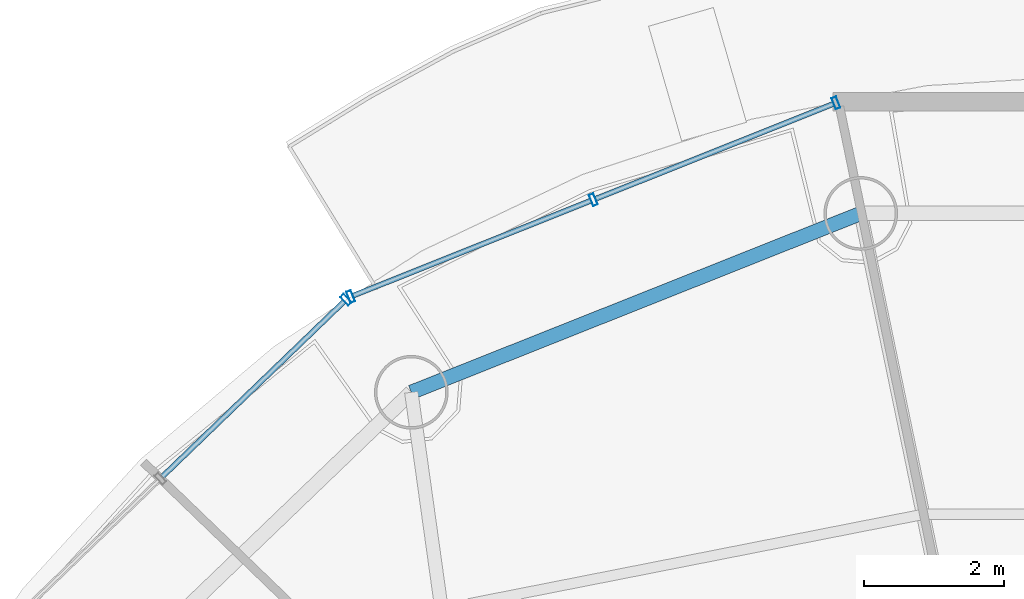
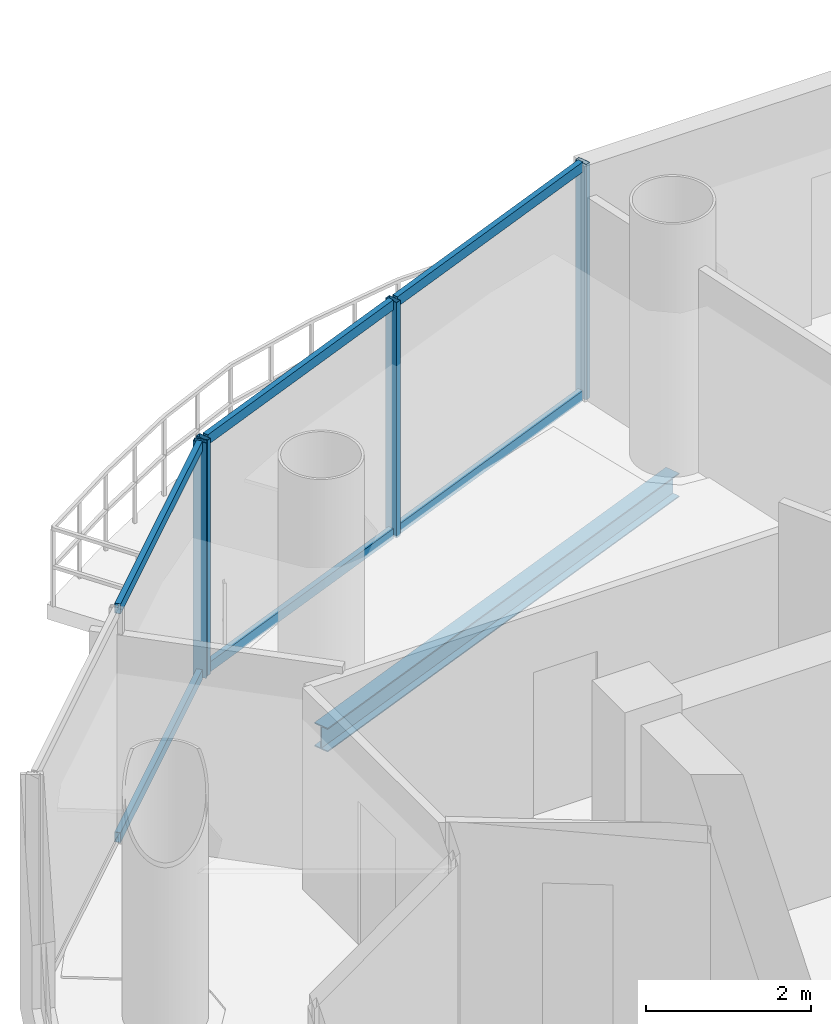
# One storey, part 14 of 24: 10 members, 1 beam, 2 elements without a shape of their own.
"""IFC4 building model written with IfcOpenShell, lengths in metres."""

from ifc_helpers import new_model, si_unit, direction, frame, origin, origin_2d, place, context, subcontext, project, spatial, hollow_rectangle, i_section, extrude, source, transform, mapped, material, material_profile, profile_set, type_object, element, aggregate, save


model = new_model("IFC4")

# Units and contexts
model_context = context("Model", 3, precision=1e-05, world=origin(), true_north=direction((-0.2419218956, 0.970295726276)))
body_context = subcontext(model_context, "Body", "Model", "MODEL_VIEW")
ifc_project = project(units=[si_unit("LENGTHUNIT", "METRE"), si_unit("AREAUNIT", "SQUARE_METRE"), si_unit("VOLUMEUNIT", "CUBIC_METRE"), si_unit("PLANEANGLEUNIT", "RADIAN"), si_unit("MASSUNIT", "GRAM", prefix="KILO")], contexts=[model_context])

# Site, building, storey
site_placement = place(None, origin())
site = spatial("IfcSite", under=ifc_project, at=site_placement, CompositionType="ELEMENT")
building_placement = place(site_placement, origin())
building = spatial("IfcBuilding", under=site, at=building_placement, Name="Cobrevalo Terracotta Tower", CompositionType="ELEMENT")
storey_placement = place(building_placement, frame((0.0, 0.0, 274.449951171875)))
storey = spatial("IfcBuildingStorey", under=building, at=storey_placement, Name="L72", CompositionType="ELEMENT", Elevation=274.449951171875)

# Beam
ifc_material_1 = material(Name="Steel S355", Category="steel")
ifc_material_profile_1 = material_profile(ifc_material_1, i_section(OverallWidth=0.205078125, OverallDepth=0.35400390625, WebThickness=0.009521484375, FlangeThickness=0.016845703125, at=origin_2d()), Name="W 360x79")
ifc_profile_set_1 = profile_set([ifc_material_profile_1], Name="Steel S355")
beam_type = type_object("IfcBeamType", Name="Structural Spandrel W 360x79 (Steel S355)", PredefinedType="SPANDREL", material=ifc_profile_set_1)
beam_placement = place(storey_placement, frame((34.537109375, 43.5224609375, -0.43701171875), z_axis=(-0.929149986048, -0.369702993533, 0.0), x_axis=(0.369702993533, -0.929149986048, 0.0)))
element("IfcBeam", 1, at=beam_placement, inside=storey, type_object=beam_type, Name="L72 perimeter ring spandrel 05", PredefinedType="SPANDREL", context=body_context, shape_type="SweptSolid", body=[
    extrude(i_section(OverallWidth=0.205078125, OverallDepth=0.35400390625, WebThickness=0.009521484375, FlangeThickness=0.016845703125, at=origin_2d()), origin(), (0.0, 0.0, 1.0), 6.88623046875),
])

# Curtain wall, members
ifc_material_2 = material(Name="Anodized aluminium", Category="aluminium")
curtain_wall_type = type_object("IfcCurtainWallType", Name="Upper-tower triple-glazed penthouse curtain wall CW-U3", PredefinedType="NOTDEFINED", material=ifc_material_2)
curtain_wall_1_placement = place(storey_placement, origin())
curtain_wall_1 = element("IfcCurtainWall", 2, at=curtain_wall_1_placement, inside=storey, type_object=curtain_wall_type, Name="L72 curtain wall CW-L72-S05", PredefinedType="NOTDEFINED")
ifc_material_profile_2 = material_profile(ifc_material_2, hollow_rectangle(XDim=0.070068359375, YDim=0.169921875, WallThickness=0.00439453125, at=origin_2d()), Name="CWM 70x170")
ifc_profile_set_2 = profile_set([ifc_material_profile_2], Name="Anodized aluminium")
member_type_1 = type_object("IfcMemberType", Name="Upper tower unitised mullion 70x170", PredefinedType="MULLION", material=ifc_profile_set_2)
shared_shape_1 = source(origin(), body_context, "Body", "SweptSolid", [
    extrude(hollow_rectangle(XDim=0.070068359375, YDim=0.169921875, WallThickness=0.00439453125, at=origin_2d()), origin(), (0.0, 0.0, 1.0), 3.489990234375),
])
member_1_placement = place(storey_placement, frame((34.183837890625, 45.096435546875, 0.0), z_axis=(0.0, 0.0, 1.0), x_axis=(-0.928718980883, -0.370784377433, 0.0)))
member_1 = element("IfcMember", 3, at=member_1_placement, type_object=member_type_1, Name="CW-L72-S05 vertical mullion 01", PredefinedType="MULLION", context=body_context, shape_type="MappedRepresentation", body=[
    mapped(shared_shape_1, transform((0.0, 0.0, 0.0), scale=1.0)),
])
member_2_placement = place(storey_placement, frame((30.729736328125, 43.71728515625, 0.0), z_axis=(0.0, 0.0, 1.0), x_axis=(-0.928718980883, -0.370784377433, 0.0)))
member_2 = element("IfcMember", 4, at=member_2_placement, type_object=member_type_1, Name="CW-L72-S05 vertical mullion 02", PredefinedType="MULLION", context=body_context, shape_type="MappedRepresentation", body=[
    mapped(shared_shape_1, transform((0.0, 0.0, 0.0), scale=1.0)),
])
member_3_placement = place(storey_placement, frame((27.275634765625, 42.33837890625, 0.0), z_axis=(0.0, 0.0, 1.0), x_axis=(-0.928718980883, -0.370784377433, 0.0)))
member_3 = element("IfcMember", 5, at=member_3_placement, type_object=member_type_1, Name="CW-L72-S05 vertical mullion 03", PredefinedType="MULLION", context=body_context, shape_type="MappedRepresentation", body=[
    mapped(shared_shape_1, transform((0.0, 0.0, 0.0), scale=1.0)),
])

curtain_wall_2_placement = place(storey_placement, origin())
curtain_wall_2 = element("IfcCurtainWall", 6, at=curtain_wall_2_placement, inside=storey, type_object=curtain_wall_type, Name="L72 curtain wall CW-L72-S06", PredefinedType="NOTDEFINED")
member_4_placement = place(storey_placement, frame((27.209716796875, 42.2958984375, 0.0), z_axis=(0.0, 0.0, 1.0), x_axis=(-0.71999418085, -0.69398010025, 0.0)))
member_4 = element("IfcMember", 7, at=member_4_placement, type_object=member_type_1, Name="CW-L72-S06 vertical mullion 01", PredefinedType="MULLION", context=body_context, shape_type="MappedRepresentation", body=[
    mapped(shared_shape_1, transform((0.0, 0.0, 0.0), scale=1.0)),
])
ifc_material_profile_3 = material_profile(ifc_material_2, hollow_rectangle(XDim=0.074951171875, YDim=0.14990234375, WallThickness=0.00439453125, at=origin_2d()), Name="CWT 75x150")
ifc_profile_set_3 = profile_set([ifc_material_profile_3], Name="Anodized aluminium")
member_type_2 = type_object("IfcMemberType", Name="Tower unitised aluminium transom 75x150", PredefinedType="USERDEFINED", material=ifc_profile_set_3)
shared_shape_2 = source(origin(), body_context, "Body", "SweptSolid", [
    extrude(hollow_rectangle(XDim=0.074951171875, YDim=0.14990234375, WallThickness=0.00439453125, at=origin_2d()), origin(), (0.0, 0.0, 1.0), 3.59130859375),
])
member_5_placement = place(storey_placement, frame((27.180908203125, 42.26806640625, 0.050048828125), z_axis=(-0.720005628362, -0.693968223427, 0.0), x_axis=(0.693968223427, -0.720005628362, 0.0)))
member_5 = element("IfcMember", 8, at=member_5_placement, type_object=member_type_2, Name="CW-L72-S06 transom B01-T1", ObjectType="TRANSOM", PredefinedType="USERDEFINED", context=body_context, shape_type="MappedRepresentation", body=[
    mapped(shared_shape_2, transform((0.0, 0.0, 0.0), scale=1.0)),
])
member_6_placement = place(storey_placement, frame((27.180908203125, 42.26806640625, 3.43994140625), z_axis=(-0.720005628362, -0.693968223427, 0.0), x_axis=(0.693968223427, -0.720005628362, 0.0)))
member_6 = element("IfcMember", 9, at=member_6_placement, type_object=member_type_2, Name="CW-L72-S06 transom B01-T2", ObjectType="TRANSOM", PredefinedType="USERDEFINED", context=body_context, shape_type="MappedRepresentation", body=[
    mapped(shared_shape_2, transform((0.0, 0.0, 0.0), scale=1.0)),
])
aggregate(curtain_wall_2, [member_4, member_5, member_6])

# Member
shared_shape_3 = source(origin(), body_context, "Body", "SweptSolid", [
    extrude(hollow_rectangle(XDim=0.074951171875, YDim=0.14990234375, WallThickness=0.00439453125, at=origin_2d()), origin(), (0.0, 0.0, 1.0), 3.63916015625),
])
member_7_placement = place(storey_placement, frame((34.146728515625, 45.08154296875, 0.050048828125), z_axis=(-0.928712471544, -0.370800681227, 0.0), x_axis=(0.370800681227, -0.928712471544, 0.0)))
member_7 = element("IfcMember", 10, at=member_7_placement, type_object=member_type_2, Name="CW-L72-S05 transom B01-T1", ObjectType="TRANSOM", PredefinedType="USERDEFINED", context=body_context, shape_type="MappedRepresentation", body=[
    mapped(shared_shape_3, transform((0.0, 0.0, 0.0), scale=1.0)),
])

member_8_placement = place(storey_placement, frame((34.146728515625, 45.08154296875, 3.43994140625), z_axis=(-0.928712471544, -0.370800681227, 0.0), x_axis=(0.370800681227, -0.928712471544, 0.0)))
member_8 = element("IfcMember", 11, at=member_8_placement, type_object=member_type_2, Name="CW-L72-S05 transom B01-T2", ObjectType="TRANSOM", PredefinedType="USERDEFINED", context=body_context, shape_type="MappedRepresentation", body=[
    mapped(shared_shape_3, transform((0.0, 0.0, 0.0), scale=1.0)),
])

member_9_placement = place(storey_placement, frame((30.692626953125, 43.70263671875, 0.050048828125), z_axis=(-0.928712471544, -0.370800681227, 0.0), x_axis=(0.370800681227, -0.928712471544, 0.0)))
member_9 = element("IfcMember", 12, at=member_9_placement, type_object=member_type_2, Name="CW-L72-S05 transom B02-T1", ObjectType="TRANSOM", PredefinedType="USERDEFINED", context=body_context, shape_type="MappedRepresentation", body=[
    mapped(shared_shape_3, transform((0.0, 0.0, 0.0), scale=1.0)),
])

member_10_placement = place(storey_placement, frame((30.692626953125, 43.70263671875, 3.43994140625), z_axis=(-0.928712471544, -0.370800681227, 0.0), x_axis=(0.370800681227, -0.928712471544, 0.0)))
member_10 = element("IfcMember", 13, at=member_10_placement, type_object=member_type_2, Name="CW-L72-S05 transom B02-T2", ObjectType="TRANSOM", PredefinedType="USERDEFINED", context=body_context, shape_type="MappedRepresentation", body=[
    mapped(shared_shape_3, transform((0.0, 0.0, 0.0), scale=1.0)),
])

aggregate(curtain_wall_1, [member_1, member_2, member_3, member_7, member_8, member_9, member_10])

save(model, "model.ifc")
